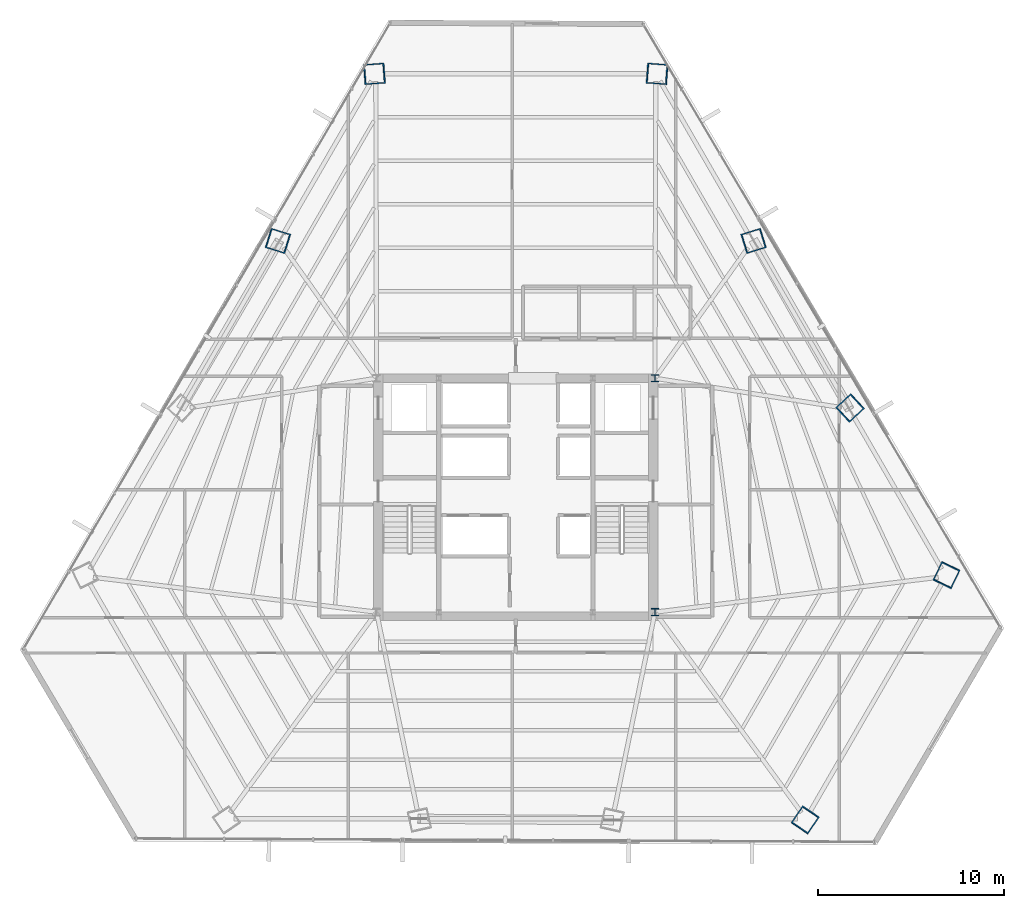
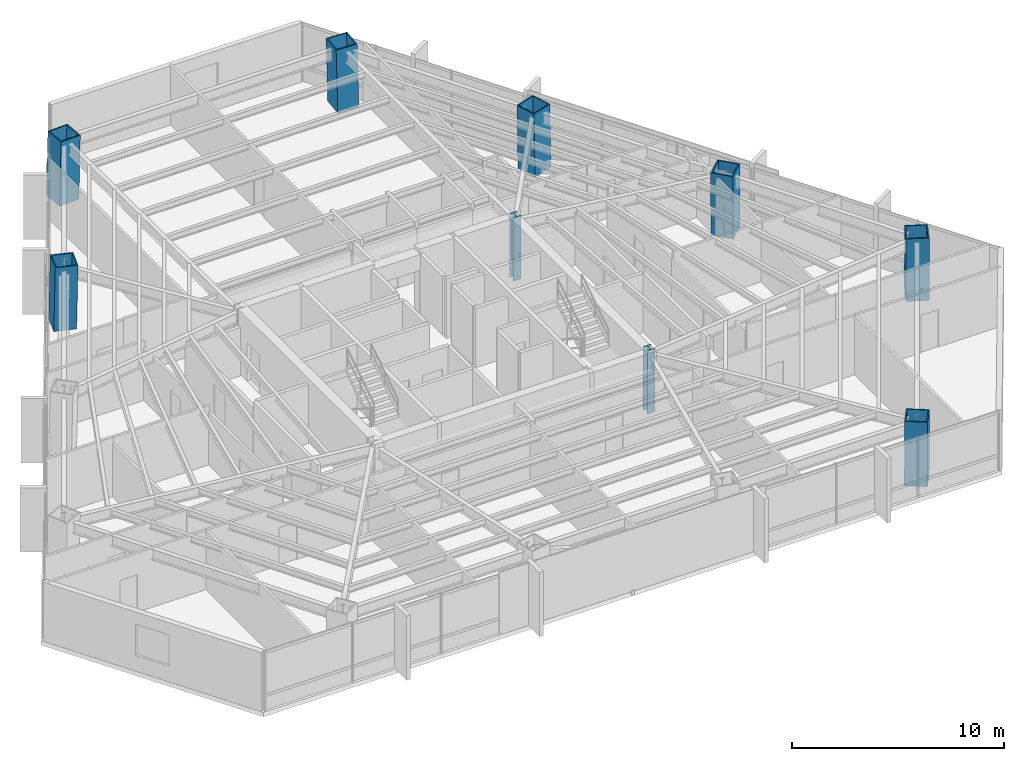
# One storey, part 3 of 35: 9 columns.
"""IFC4 building model written with IfcOpenShell, lengths in metres."""

from ifc_helpers import new_model, si_unit, direction, frame, origin, origin_2d, place, context, subcontext, project, spatial, hollow_rectangle, i_section, extrude, source, transform, mapped, material, material_profile, profile_set, type_object, type_shapes, element, save


model = new_model("IFC4")

# Units and contexts
model_context = context("Model", 3, precision=1e-05, world=origin(), true_north=direction((0.0, 1.0)))
body_context = subcontext(model_context, "Body", "Model", "MODEL_VIEW")
ifc_project = project(units=[si_unit("LENGTHUNIT", "METRE"), si_unit("AREAUNIT", "SQUARE_METRE"), si_unit("VOLUMEUNIT", "CUBIC_METRE"), si_unit("PLANEANGLEUNIT", "RADIAN"), si_unit("MASSUNIT", "GRAM", prefix="KILO")], contexts=[model_context])

# Site, building, storey
site_placement = place(None, origin())
site = spatial("IfcSite", under=ifc_project, at=site_placement, CompositionType="ELEMENT")
building_placement = place(site_placement, origin())
building = spatial("IfcBuilding", under=site, at=building_placement, Name="Caelisora Broadcast Tower", CompositionType="ELEMENT")
storey_placement = place(building_placement, frame((0.0, 0.0, 98.10009765625)))
storey = spatial("IfcBuildingStorey", under=building, at=storey_placement, Name="L25", CompositionType="ELEMENT", Elevation=98.10009765625)

# Columns
ifc_material_1 = material(Name="Steel Grade 350 (AS/NZS 3679.2)", Category="steel")
ifc_material_profile_1 = material_profile(ifc_material_1, i_section(OverallWidth=0.39990234375, OverallDepth=0.39990234375, WebThickness=0.02001953125, FlangeThickness=0.031982421875, at=origin_2d()), Name="Steel Grade 350 (AS/NZS 3679.2)")
ifc_profile_set_1 = profile_set([ifc_material_profile_1], Name="Steel Grade 350 (AS/NZS 3679.2)")
column_type_1 = type_object("IfcColumnType", Name="CC02", PredefinedType="COLUMN", material=ifc_profile_set_1)
shared_shape_1 = source(origin(), body_context, "Body", "SweptSolid", [
    extrude(i_section(OverallWidth=0.39990234375, OverallDepth=0.39990234375, WebThickness=0.02001953125, FlangeThickness=0.031982421875, at=origin_2d()), origin(), (0.0, 0.0, 1.0), 3.64990234375),
])
type_shapes(column_type_1, [shared_shape_1])
for number, where, z_axis, x_axis, name in (
    (1, (45.5, 17.39990234375, 0.0), (0.0, 0.0, 1.0), (1.0, 0.0, 0.0), "L25 column CC02"),
    (2, (45.5, 30.0, 0.0), (0.0, 0.0, 1.0), (1.0, 0.0, 0.0), "L25 column CC02"),
):
    element("IfcColumn", number, at=place(storey_placement, frame(where, z_axis=z_axis, x_axis=x_axis)), inside=storey, type_object=column_type_1, Name=name, PredefinedType="COLUMN", context=body_context, shape_type="MappedRepresentation", body=[
        mapped(shared_shape_1, transform((0.0, 0.0, 0.0), scale=1.0)),
    ])
ifc_material_2 = material(Name="Steel Grade 350 L15 (AS/NZS 3678)", Category="steel")
ifc_material_profile_2 = material_profile(ifc_material_2, hollow_rectangle(XDim=1.10009765625, YDim=1.10009765625, WallThickness=0.06005859375, at=origin_2d()), Name="Steel Grade 350 L15 (AS/NZS 3678)")
ifc_profile_set_2 = profile_set([ifc_material_profile_2], Name="Steel Grade 350 L15 (AS/NZS 3678)")
column_type_2 = type_object("IfcColumnType", Name="MC03", PredefinedType="COLUMN", material=ifc_profile_set_2)
shared_shape_2 = source(origin(), body_context, "Body", "SweptSolid", [
    extrude(hollow_rectangle(XDim=1.10009765625, YDim=1.10009765625, WallThickness=0.06005859375, at=origin_2d()), origin(), (0.0, 0.0, 1.0), 3.65087890625),
])
for number, where, z_axis, x_axis, name in (
    (3, (45.62744140625, 46.39599609375, 0.0), (-0.023872754168, 0.001805502416, 0.999713374808), (-0.075414875552, -0.997152243414, 0.0), "L25 column MC03"),
    (4, (30.37255859375, 46.39599609375, 0.0), (0.023872754168, 0.001805502416, 0.999713374808), (-0.075414875552, 0.997152243414, 0.0), "L25 column MC03"),
    (5, (53.581787109375, 6.1962890625, 0.0), (0.013507807672, 0.019860489499, 0.999711508431), (-0.826874715708, 0.56238617028, 0.0), "L25 column MC03"),
    (6, (61.209228515625, 19.407470703125, 0.0), (-0.010364932146, -0.021532310652, 0.999714423113), (0.901042175273, -0.433731481886, 0.0), "L25 column MC03"),
):
    element("IfcColumn", number, at=place(storey_placement, frame(where, z_axis=z_axis, x_axis=x_axis)), inside=storey, type_object=column_type_2, Name=name, PredefinedType="COLUMN", context=body_context, shape_type="MappedRepresentation", body=[
        mapped(shared_shape_2, transform((0.0, 0.0, 0.0), scale=1.0)),
    ])
shared_shape_3 = source(origin(), body_context, "Body", "SweptSolid", [
    extrude(hollow_rectangle(XDim=1.10009765625, YDim=1.10009765625, WallThickness=0.06005859375, at=origin_2d()), origin(), (0.0, 0.0, 1.0), 3.650634765625),
])
type_shapes(column_type_2, [shared_shape_2, shared_shape_3])
for number, where, z_axis, x_axis, name in (
    (7, (25.1787109375, 37.39990234375, 0.0), (0.019393993486, -0.006018825565, 0.999793802119), (0.296399214872, 0.955064136811, 0.0), "L25 column MC03"),
    (8, (56.015380859375, 28.40380859375, 0.0), (-0.014913313399, -0.013776424037, 0.999793880369), (0.678553674548, -0.734550822447, 0.0), "L25 column MC03"),
    (9, (50.8212890625, 37.39990234375, 0.0), (-0.019393993486, -0.006018825565, 0.999793802119), (0.296399214872, -0.955064136811, 0.0), "L25 column MC03"),
):
    element("IfcColumn", number, at=place(storey_placement, frame(where, z_axis=z_axis, x_axis=x_axis)), inside=storey, type_object=column_type_2, Name=name, PredefinedType="COLUMN", context=body_context, shape_type="MappedRepresentation", body=[
        mapped(shared_shape_3, transform((0.0, 0.0, 0.0), scale=1.0)),
    ])

save(model, "model.ifc")
